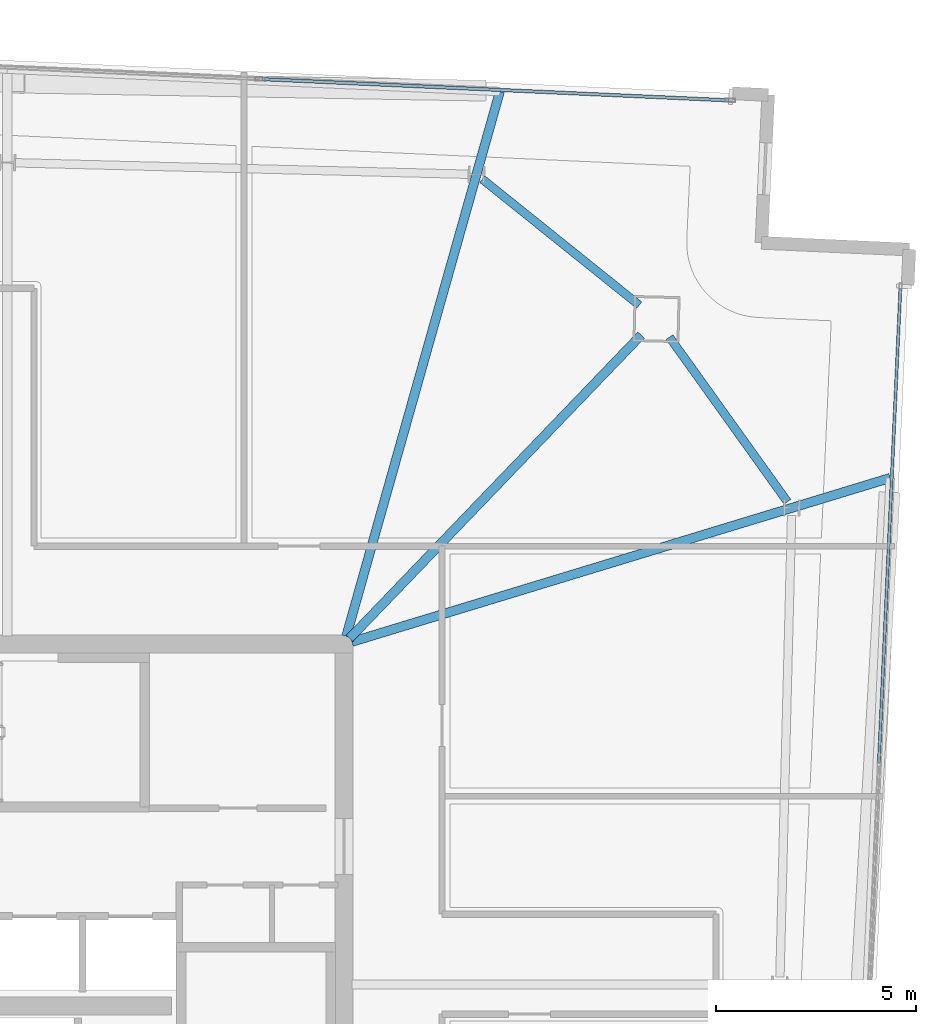
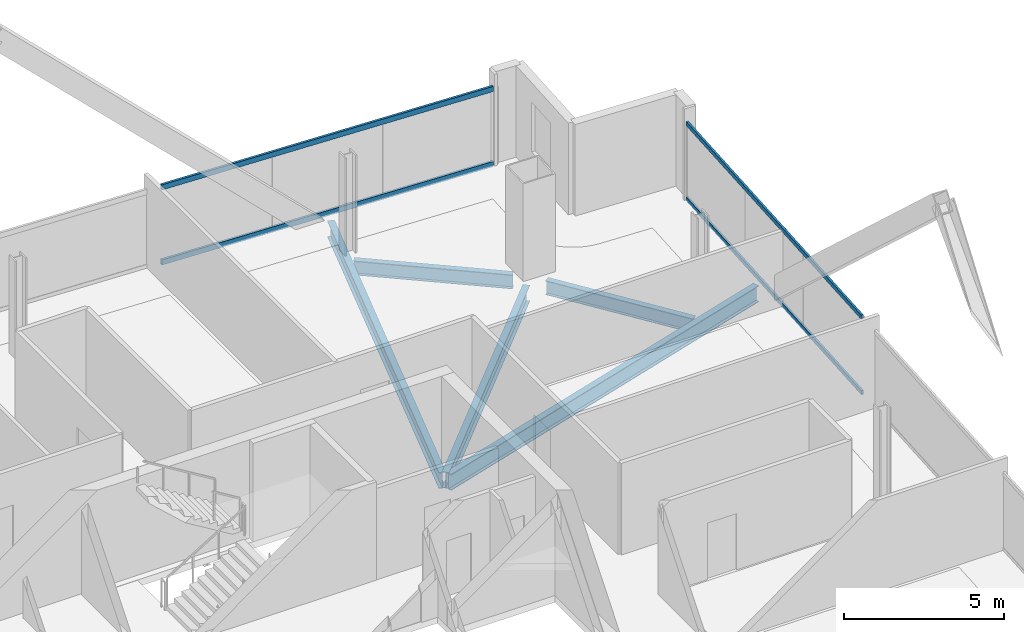
# One storey, part 17 of 26: 5 beams, 4 members, 2 elements without a shape of their own.
"""IFC4 building model written with IfcOpenShell, lengths in metres."""

import ifcopenshell
import ifcopenshell.guid

model = None  # the IFC model being written
_history = None  # IfcOwnerHistory: only IFC2X3 demands one
_inside = {}  # id of a spatial element -> (the spatial element, [elements in it])
_under = {}  # id of a project, library or spatial element -> (it, [spatial elements below it])
_declared = {}  # id of a project -> (the project, [libraries it declares])
_typed = {}  # id of a type object -> (the type object, [elements of that type])
_made_of = {}  # id of a material, layer set ... -> (it, [elements and type objects made of it])


def new_model(schema):
    """Start an empty IFC model of exactly this schema.

    Asked for "IFC4X3", IfcOpenShell would pick the latest addendum, in which some entities
    have other attributes; the version numbers below select the first issue.
    IFC2X3 requires an IfcOwnerHistory on every rooted entity: one is made here for all.
    """
    global model, _history
    if schema == "IFC4X3":
        model = ifcopenshell.file(schema_version=(4, 3, 0, 0))
    else:
        model = ifcopenshell.file(schema=schema)
    _inside.clear()
    _under.clear()
    _declared.clear()
    _typed.clear()
    _made_of.clear()
    _history = None
    if model.schema == "IFC2X3":
        org = make("IfcOrganization", Name="unknown")
        user = make(
            "IfcPersonAndOrganization",
            ThePerson=make("IfcPerson", FamilyName="unknown"),
            TheOrganization=org,
        )
        app = make(
            "IfcApplication",
            ApplicationDeveloper=org,
            Version="unknown",
            ApplicationFullName="unknown",
            ApplicationIdentifier="unknown",
        )
        _history = make(
            "IfcOwnerHistory",
            OwningUser=user,
            OwningApplication=app,
            ChangeAction="ADDED",
            CreationDate=0,
        )
    return model


def make(cls, **values):
    """One entity of the class cls with the attributes given. An attribute that is None is left unset."""
    return model.create_entity(
        cls, **{name: value for name, value in values.items() if value is not None}
    )


def rooted(cls, **values):
    """An entity with a GlobalId (a new one), such as an element, a storey or a relation."""
    return make(cls, GlobalId=ifcopenshell.guid.new(), OwnerHistory=_history, **values)


def si_unit(unit_type, name, prefix=None):
    """IfcSIUnit, for example si_unit("LENGTHUNIT", "METRE", prefix="MILLI")."""
    return make("IfcSIUnit", UnitType=unit_type, Prefix=prefix, Name=name)


def assignment(units):
    """IfcUnitAssignment: the units of a project."""
    return None if units is None else make("IfcUnitAssignment", Units=units)


def point(xyz):
    """IfcCartesianPoint."""
    return None if xyz is None else make("IfcCartesianPoint", Coordinates=xyz)


def direction(xyz):
    """IfcDirection."""
    return None if xyz is None else make("IfcDirection", DirectionRatios=xyz)


def frame(location, z_axis=None, x_axis=None):
    """IfcAxis2Placement3D, a coordinate frame: its origin and axes. An axis left out is left unset."""
    return make(
        "IfcAxis2Placement3D",
        Location=point(location),
        Axis=direction(z_axis),
        RefDirection=direction(x_axis),
    )


def frame_2d(location, x_axis=None):
    """IfcAxis2Placement2D, a coordinate frame in the plane: its origin and x axis."""
    return make(
        "IfcAxis2Placement2D", Location=point(location), RefDirection=direction(x_axis)
    )


def origin():
    """The frame at (0, 0, 0) with its axes left unset."""
    return frame((0.0, 0.0, 0.0))


def origin_2d():
    """The frame at (0, 0) in the plane with its x axis left unset."""
    return frame_2d((0.0, 0.0))


def place(relative_to, where):
    """IfcLocalPlacement: puts the frame where relative to a parent placement (None: the world)."""
    return make(
        "IfcLocalPlacement", PlacementRelTo=relative_to, RelativePlacement=where
    )


def context(
    kind, dimensions, precision=None, world=None, true_north=None, identifier=None
):
    """IfcGeometricRepresentationContext, for example the 3D "Model" context."""
    return make(
        "IfcGeometricRepresentationContext",
        ContextIdentifier=identifier,
        ContextType=kind,
        CoordinateSpaceDimension=dimensions,
        Precision=precision,
        WorldCoordinateSystem=world,
        TrueNorth=true_north,
    )


def subcontext(parent, identifier, kind, view, scale=None):
    """IfcGeometricRepresentationSubContext, for example "Body" below "Model"."""
    return make(
        "IfcGeometricRepresentationSubContext",
        ContextIdentifier=identifier,
        ContextType=kind,
        ParentContext=parent,
        TargetScale=scale,
        TargetView=view,
    )


def project(units=None, contexts=None):
    """IfcProject with its units and contexts."""
    return rooted(
        "IfcProject",
        Name="project",
        RepresentationContexts=contexts,
        UnitsInContext=assignment(units),
    )


def spatial(cls, under=None, at=None, **own):
    """A site, building, storey or space (cls), placed at a placement, below another one or the project."""
    s = rooted(cls, ObjectPlacement=at, **own)
    if under is not None:
        _under.setdefault(under.id(), (under, []))[1].append(s)
    return s


def profile(cls, at=None, kind="AREA", **sizes):
    """A parametric profile (cls). Its sizes go by their IFC names, for example OverallWidth=200.0."""
    return make(cls, ProfileType=kind, Position=at, **sizes)


def hollow_rectangle(**sizes):
    """IfcRectangleHollowProfileDef."""
    return profile("IfcRectangleHollowProfileDef", **sizes)


def i_section(**sizes):
    """IfcIShapeProfileDef."""
    return profile("IfcIShapeProfileDef", **sizes)


def extrude(swept, where, along, depth):
    """IfcExtrudedAreaSolid: the profile swept, set in the frame where, extruded along a direction by depth."""
    return make(
        "IfcExtrudedAreaSolid",
        SweptArea=swept,
        Position=where,
        ExtrudedDirection=direction(along),
        Depth=depth,
    )


def shape(context_of_items, identifier, shape_type, items):
    """IfcShapeRepresentation: the items that make up one representation, for example the "Body"."""
    return make(
        "IfcShapeRepresentation",
        ContextOfItems=context_of_items,
        RepresentationIdentifier=identifier,
        RepresentationType=shape_type,
        Items=items,
    )


def material(Name=None, Category=None):
    """IfcMaterial."""
    return make("IfcMaterial", Name=Name, Category=Category)


def material_profile(
    of_material, cross_section, Name=None, Category=None, Priority=None
):
    """IfcMaterialProfile: a cross section and its material."""
    return make(
        "IfcMaterialProfile",
        Name=Name,
        Material=of_material,
        Profile=cross_section,
        Priority=Priority,
        Category=Category,
    )


def profile_set(profiles, Name=None, composite=None):
    """IfcMaterialProfileSet."""
    return make(
        "IfcMaterialProfileSet",
        Name=Name,
        MaterialProfiles=profiles,
        CompositeProfile=composite,
    )


def made_of(thing, what):
    """Note that an element or type object is made of a material, layer set ...; save() writes the relation."""
    if what is not None:
        _made_of.setdefault(what.id(), (what, []))[1].append(thing)
    return thing


def type_object(cls, material=None, **own):
    """A type object (cls), such as IfcWallType, which elements share."""
    return made_of(rooted(cls, **own), material)


def element(
    cls,
    number,
    at=None,
    inside=None,
    cuts=None,
    type_object=None,
    material=None,
    context=None,
    identifier="Body",
    shape_type=None,
    held_by="IfcProductDefinitionShape",
    body=None,
    shapes=None,
    **own,
):
    """One element of the class cls, such as IfcWall. Its Tag is "e" and its number.

    at: its placement. inside: the storey or other place that contains it. cuts: it is an
    opening in that element (IfcRelVoidsElement). A single representation is given by context,
    identifier, shape_type and body (its items); several are given by shapes. held_by: the class
    of the entity that holds the representations. save() writes the other relations.
    """
    e = rooted(cls, Tag="e%d" % number, ObjectPlacement=at, **own)
    if body is not None:
        shapes = [shape(context, identifier, shape_type, body)]
    if shapes is not None:
        e.Representation = make(held_by, Representations=shapes)
    if inside is not None:
        _inside.setdefault(inside.id(), (inside, []))[1].append(e)
    if cuts is not None:
        rooted(
            "IfcRelVoidsElement", RelatingBuildingElement=cuts, RelatedOpeningElement=e
        )
    if type_object is not None:
        _typed.setdefault(type_object.id(), (type_object, []))[1].append(e)
    return made_of(e, material)


def aggregate(whole, parts):
    """IfcRelAggregates: a whole, such as a stair, and the parts it consists of."""
    return rooted("IfcRelAggregates", RelatingObject=whole, RelatedObjects=parts)


def save(model, path):
    """Write the relations noted so far, then the file.

    IfcRelAggregates (storeys below a building ...), IfcRelContainedInSpatialStructure (elements
    in a storey), IfcRelDefinesByType, IfcRelAssociatesMaterial and IfcRelDeclares: one each for
    every whole, place, type object, material and project.
    """
    for whole, parts in _under.values():
        aggregate(whole, parts)
    for where, things in _inside.values():
        rooted(
            "IfcRelContainedInSpatialStructure",
            RelatedElements=things,
            RelatingStructure=where,
        )
    for kind, things in _typed.values():
        rooted("IfcRelDefinesByType", RelatedObjects=things, RelatingType=kind)
    for what, things in _made_of.values():
        rooted("IfcRelAssociatesMaterial", RelatedObjects=things, RelatingMaterial=what)
    for by, libraries in _declared.values():
        rooted("IfcRelDeclares", RelatingContext=by, RelatedDefinitions=libraries)
    model.write(path)


model = new_model("IFC4")

# Units and contexts
model_context = context("Model", 3, precision=1e-05, world=origin(), true_north=direction((0.0, 1.0)))
body_context = subcontext(model_context, "Body", "Model", "MODEL_VIEW")
ifc_project = project(units=[si_unit("LENGTHUNIT", "METRE"), si_unit("AREAUNIT", "SQUARE_METRE"), si_unit("VOLUMEUNIT", "CUBIC_METRE"), si_unit("PLANEANGLEUNIT", "RADIAN"), si_unit("MASSUNIT", "GRAM", prefix="KILO")], contexts=[model_context])

# Site, building, storey
site_placement = place(None, origin())
site = spatial("IfcSite", under=ifc_project, at=site_placement, CompositionType="ELEMENT")
building_placement = place(site_placement, origin())
building = spatial("IfcBuilding", under=site, at=building_placement, Name="Haldenkirk Collegiate Tower", CompositionType="ELEMENT")
storey_placement = place(building_placement, frame((0.0, 0.0, 321.449951171875)))
storey = spatial("IfcBuildingStorey", under=building, at=storey_placement, Name="L81", CompositionType="ELEMENT", Elevation=321.449951171875)

# Beams
ifc_material_1 = material(Name="Steel ASTM A992 Grade 50", Category="steel")
ifc_material_profile_1 = material_profile(ifc_material_1, i_section(OverallWidth=0.22998046875, OverallDepth=0.616943359375, WebThickness=0.01318359375, FlangeThickness=0.022216796875, at=origin_2d()), Name="W24X94")
ifc_profile_set_1 = profile_set([ifc_material_profile_1], Name="Steel ASTM A992 Grade 50")
beam_type_1 = type_object("IfcBeamType", Name="BM-GIRDER-W24X94", PredefinedType="BEAM", material=ifc_profile_set_1)
beam_1_placement = place(storey_placement, frame((52.428955078125, 41.7294921875, -0.568359375), z_axis=(-0.692944915375, -0.720990529935, 0.0), x_axis=(0.720990529935, -0.692944915375, 0.0)))
element("IfcBeam", 1, at=beam_1_placement, inside=storey, type_object=beam_type_1, Name="L81 primary floor girder 02", PredefinedType="BEAM", context=body_context, shape_type="SweptSolid", body=[
    extrude(i_section(OverallWidth=0.22998046875, OverallDepth=0.616943359375, WebThickness=0.01318359375, FlangeThickness=0.022216796875, at=origin_2d()), origin(), (0.0, 0.0, 1.0), 10.515869140625),
])
beam_2_placement = place(storey_placement, frame((58.65478515625, 38.157470703125, -0.568359375), z_axis=(-0.956643822034, -0.291260360785, 0.0), x_axis=(0.291260360785, -0.956643822034, 0.0)))
element("IfcBeam", 2, at=beam_2_placement, inside=storey, type_object=beam_type_1, Name="L81 primary floor girder 07", PredefinedType="BEAM", context=body_context, shape_type="SweptSolid", body=[
    extrude(i_section(OverallWidth=0.22998046875, OverallDepth=0.616943359375, WebThickness=0.01318359375, FlangeThickness=0.022216796875, at=origin_2d()), origin(), (0.0, 0.0, 1.0), 14.068603515625),
])
beam_3_placement = place(storey_placement, frame((48.89599609375, 47.8173828125, -0.568359375), z_axis=(-0.271379029811, -0.962472556585, 0.0), x_axis=(0.962472556585, -0.271379029811, 0.0)))
element("IfcBeam", 3, at=beam_3_placement, inside=storey, type_object=beam_type_1, Name="L81 primary floor girder 08", PredefinedType="BEAM", context=body_context, shape_type="SweptSolid", body=[
    extrude(i_section(OverallWidth=0.22998046875, OverallDepth=0.616943359375, WebThickness=0.01318359375, FlangeThickness=0.022216796875, at=origin_2d()), origin(), (0.0, 0.0, 1.0), 14.151123046875),
])
ifc_material_profile_2 = material_profile(ifc_material_1, i_section(OverallWidth=0.2099609375, OverallDepth=0.537109375, WebThickness=0.010986328125, FlangeThickness=0.017333984375, at=origin_2d()), Name="W21X68")
ifc_profile_set_2 = profile_set([ifc_material_profile_2], Name="Steel ASTM A992 Grade 50")
beam_type_2 = type_object("IfcBeamType", Name="BM-SPANDREL-W21X68", PredefinedType="SPANDREL", material=ifc_profile_set_2)
beam_4_placement = place(storey_placement, frame((56.085693359375, 37.561279296875, -0.528564453125), z_axis=(-0.582300220922, 0.812973832737, 0.0), x_axis=(-0.812973832737, -0.582300220922, 0.0)))
element("IfcBeam", 4, at=beam_4_placement, inside=storey, type_object=beam_type_2, Name="L81 perimeter spandrel beam 04", PredefinedType="SPANDREL", context=body_context, shape_type="SweptSolid", body=[
    extrude(i_section(OverallWidth=0.2099609375, OverallDepth=0.537109375, WebThickness=0.010986328125, FlangeThickness=0.017333984375, at=origin_2d()), origin(), (0.0, 0.0, 1.0), 5.064453125),
])
beam_5_placement = place(storey_placement, frame((52.380859375, 42.477294921875, -0.528564453125), z_axis=(-0.779721728928, 0.626126205678, 0.0), x_axis=(-0.626126205678, -0.779721728928, 0.0)))
element("IfcBeam", 5, at=beam_5_placement, inside=storey, type_object=beam_type_2, Name="L81 perimeter spandrel beam 05", PredefinedType="SPANDREL", context=body_context, shape_type="SweptSolid", body=[
    extrude(i_section(OverallWidth=0.2099609375, OverallDepth=0.537109375, WebThickness=0.010986328125, FlangeThickness=0.017333984375, at=origin_2d()), origin(), (0.0, 0.0, 1.0), 5.03076171875),
])

# Curtain wall, members
ifc_material_2 = material(Name="Anodised architectural bronze aluminium", Category="aluminium")
curtain_wall_type_1 = type_object("IfcCurtainWallType", Name="CW-SYS2-CONCAVE", PredefinedType="USERDEFINED", material=ifc_material_2)
curtain_wall_1_placement = place(storey_placement, origin())
curtain_wall_1 = element("IfcCurtainWall", 6, at=curtain_wall_1_placement, inside=storey, type_object=curtain_wall_type_1, Name="L81 South concave recessed bronze-anodised curtain wall", ObjectType="UNITISED CURTAIN WALL", PredefinedType="USERDEFINED")
ifc_material_profile_3 = material_profile(ifc_material_2, hollow_rectangle(XDim=0.074951171875, YDim=0.159912109375, WallThickness=0.0048828125, at=origin_2d()), Name="CW-TRN-02")
ifc_profile_set_3 = profile_set([ifc_material_profile_3], Name="Anodised architectural bronze aluminium")
member_type_1 = type_object("IfcMemberType", Name="CW-TRN-02", PredefinedType="USERDEFINED", material=ifc_profile_set_3)
member_1_placement = place(storey_placement, frame((58.910400390625, 42.903076171875, 0.03759765625), z_axis=(-0.045367601937, -0.998970360268, 0.0), x_axis=(0.998970360268, -0.045367601937, 0.0)))
member_1 = element("IfcMember", 7, at=member_1_placement, type_object=member_type_1, Name="CW-02 transom 1.1", ObjectType="TRANSOM", PredefinedType="USERDEFINED", context=body_context, shape_type="SweptSolid", body=[
    extrude(hollow_rectangle(XDim=0.074951171875, YDim=0.159912109375, WallThickness=0.0048828125, at=origin_2d()), origin(), (0.0, 0.0, 1.0), 11.887451171875),
])
member_2_placement = place(storey_placement, frame((58.910400390625, 42.903076171875, 2.91064453125), z_axis=(-0.045367601937, -0.998970360268, 0.0), x_axis=(0.998970360268, -0.045367601937, 0.0)))
member_2 = element("IfcMember", 8, at=member_2_placement, type_object=member_type_1, Name="CW-02 transom 1.2", ObjectType="TRANSOM", PredefinedType="USERDEFINED", context=body_context, shape_type="SweptSolid", body=[
    extrude(hollow_rectangle(XDim=0.074951171875, YDim=0.159912109375, WallThickness=0.0048828125, at=origin_2d()), origin(), (0.0, 0.0, 1.0), 11.887451171875),
])
aggregate(curtain_wall_1, [member_1, member_2])

curtain_wall_type_2 = type_object("IfcCurtainWallType", Name="CW-SYS1B-CONVEX-HI", PredefinedType="USERDEFINED", material=ifc_material_2)
curtain_wall_2_placement = place(storey_placement, origin())
curtain_wall_2 = element("IfcCurtainWall", 9, at=curtain_wall_2_placement, inside=storey, type_object=curtain_wall_type_2, Name="L81 Upper tower high-wind convex bronze unitised curtain wall", ObjectType="UNITISED CURTAIN WALL", PredefinedType="USERDEFINED")
ifc_material_profile_4 = material_profile(ifc_material_2, hollow_rectangle(XDim=0.0849609375, YDim=0.199951171875, WallThickness=0.0048828125, at=origin_2d()), Name="CW-TRN-1B")
ifc_profile_set_4 = profile_set([ifc_material_profile_4], Name="Anodised architectural bronze aluminium")
member_type_2 = type_object("IfcMemberType", Name="CW-TRN-1B", PredefinedType="USERDEFINED", material=ifc_profile_set_4)
member_3_placement = place(storey_placement, frame((42.953369140625, 48.12744140625, 0.04248046875), z_axis=(0.998970393788, -0.045366863846, 0.0), x_axis=(0.045366863846, 0.998970393788, 0.0)))
member_3 = element("IfcMember", 10, at=member_3_placement, type_object=member_type_2, Name="CW-1B transom 3.1", ObjectType="TRANSOM", PredefinedType="USERDEFINED", context=body_context, shape_type="SweptSolid", body=[
    extrude(hollow_rectangle(XDim=0.0849609375, YDim=0.199951171875, WallThickness=0.0048828125, at=origin_2d()), origin(), (0.0, 0.0, 1.0), 11.67236328125),
])
member_4_placement = place(storey_placement, frame((42.953369140625, 48.12744140625, 2.905517578125), z_axis=(0.998970393788, -0.045366863846, 0.0), x_axis=(0.045366863846, 0.998970393788, 0.0)))
member_4 = element("IfcMember", 11, at=member_4_placement, type_object=member_type_2, Name="CW-1B transom 3.2", ObjectType="TRANSOM", PredefinedType="USERDEFINED", context=body_context, shape_type="SweptSolid", body=[
    extrude(hollow_rectangle(XDim=0.0849609375, YDim=0.199951171875, WallThickness=0.0048828125, at=origin_2d()), origin(), (0.0, 0.0, 1.0), 11.67236328125),
])
aggregate(curtain_wall_2, [member_3, member_4])

save(model, "model.ifc")
